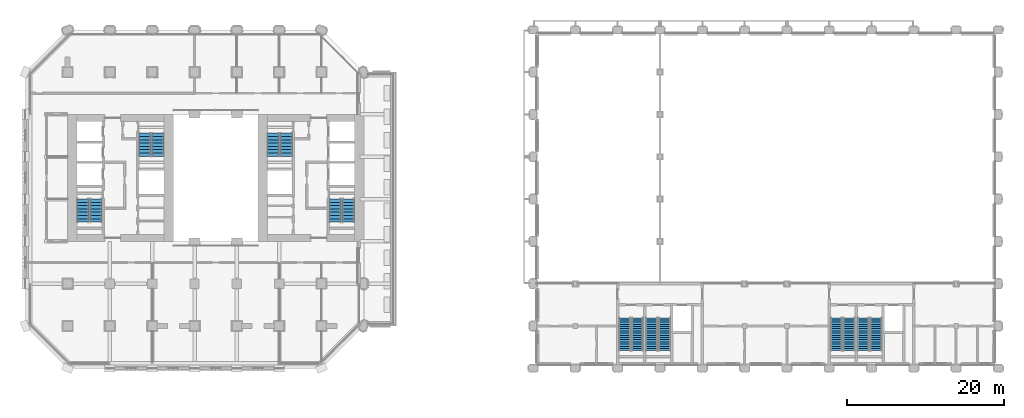
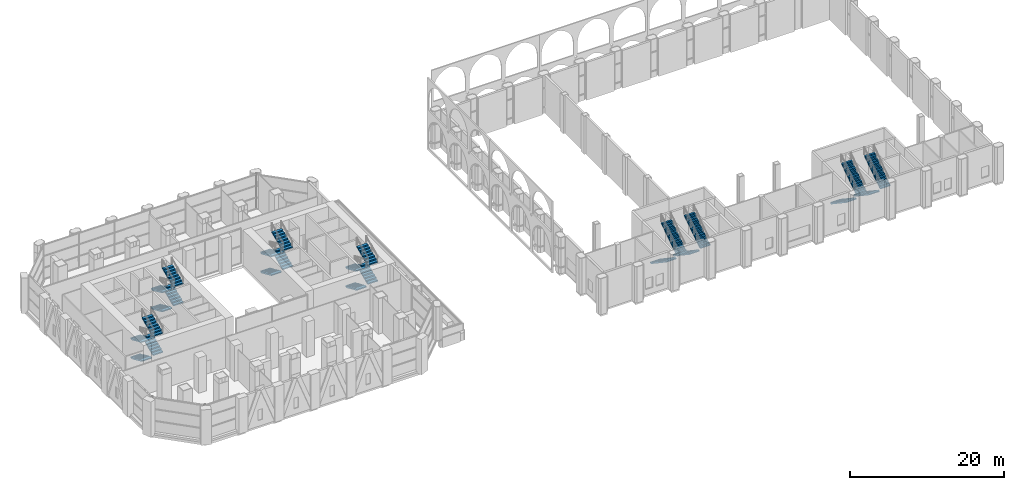
# One storey, part 18 of 34: 24 stair flights, 8 elements without a shape of their own.
"""IFC4 building model written with IfcOpenShell, lengths in metres."""

from ifc_helpers import new_model, si_unit, direction, frame, origin, place, context, subcontext, project, spatial, polyline, outline, extrude, material, type_object, element, aggregate, save


model = new_model("IFC4")

# Units and contexts
model_context = context("Model", 3, precision=1e-05, world=origin(), true_north=direction((0.0, 1.0)))
body_context = subcontext(model_context, "Body", "Model", "MODEL_VIEW")
ifc_project = project(units=[si_unit("LENGTHUNIT", "METRE"), si_unit("AREAUNIT", "SQUARE_METRE"), si_unit("VOLUMEUNIT", "CUBIC_METRE"), si_unit("PLANEANGLEUNIT", "RADIAN"), si_unit("MASSUNIT", "GRAM", prefix="KILO")], contexts=[model_context])

# Site, building, storey
site_placement = place(None, origin())
site = spatial("IfcSite", under=ifc_project, at=site_placement, CompositionType="ELEMENT")
building_placement = place(site_placement, origin())
building = spatial("IfcBuilding", under=site, at=building_placement, Name="Tabaq Tower and Sports Hall", CompositionType="ELEMENT")
storey_placement = place(building_placement, frame((0.0, 0.0, 8.39990234375)))
storey = spatial("IfcBuildingStorey", under=building, at=storey_placement, Name="L01", CompositionType="ELEMENT", Elevation=8.39990234375)

# Stair, stair flights
ifc_material_1 = material(Name="Concrete C40/50", Category="concrete")
stair_type_1 = type_object("IfcStairType", Name="Exit stair", PredefinedType="HALF_TURN_STAIR", material=ifc_material_1)
stair_1_placement = place(storey_placement, origin())
stair_1 = element("IfcStair", 1, at=stair_1_placement, inside=storey, type_object=stair_type_1, Name="L01 Exit stair ST1", PredefinedType="HALF_TURN_STAIR")
ifc_material_2 = material(Name="Concrete C40/50", Category="concrete")
stair_flight_type_1 = type_object("IfcStairFlightType", Name="Exit stair flight", PredefinedType="STRAIGHT", material=ifc_material_2)
stair_flight_1_placement = place(storey_placement, frame((7.35009765625, 21.60009765625, 0.0), z_axis=(0.0, 0.0, 1.0), x_axis=(0.0, -1.0, 0.0)))
stair_flight_1 = element("IfcStairFlight", 2, at=stair_flight_1_placement, type_object=stair_flight_type_1, Name="ST1 flight 1", NumberOfRisers=8, NumberOfTreads=7, PredefinedType="STRAIGHT", RiserHeight=0.1875, TreadLength=0.42, context=body_context, shape_type="SweptSolid", body=[
    extrude(outline(polyline([(0.0, 0.0), (0.0, 0.1875), (0.419921875, 0.1875), (0.419921875, 0.375), (0.840087890625, 0.375), (0.840087890625, 0.5625), (1.260009765625, 0.5625), (1.260009765625, 0.75), (1.679931640625, 0.75), (1.679931640625, 0.9375), (2.10009765625, 0.9375), (2.10009765625, 1.125), (2.52001953125, 1.125), (2.52001953125, 1.3125), (2.93994140625, 1.3125), (2.93994140625, 1.5), (2.93994140625, 1.1484375), (0.36767578125, 0.0), (0.0, 0.0)])), frame((0.0, 0.75, 0.0), z_axis=(0.0, -1.0, 0.0), x_axis=(1.0, 0.0, 0.0)), (0.0, 0.0, 1.0), 1.5),
])
stair_flight_2_placement = place(storey_placement, frame((9.050048828125, 18.659912109375, 1.5), z_axis=(0.0, 0.0, 1.0), x_axis=(0.0, 1.0, 0.0)))
stair_flight_2 = element("IfcStairFlight", 3, at=stair_flight_2_placement, type_object=stair_flight_type_1, Name="ST1 flight 2", NumberOfRisers=8, NumberOfTreads=7, PredefinedType="STRAIGHT", RiserHeight=0.1875, TreadLength=0.42, context=body_context, shape_type="SweptSolid", body=[
    extrude(outline(polyline([(0.0, 0.0), (0.0, 0.1875), (0.419921875, 0.1875), (0.419921875, 0.375), (0.840087890625, 0.375), (0.840087890625, 0.5625), (1.260009765625, 0.5625), (1.260009765625, 0.75), (1.679931640625, 0.75), (1.679931640625, 0.9375), (2.10009765625, 0.9375), (2.10009765625, 1.125), (2.52001953125, 1.125), (2.52001953125, 1.3125), (2.93994140625, 1.3125), (2.93994140625, 1.5), (2.93994140625, 1.1484375), (0.36767578125, 0.0), (0.0, 0.0)])), frame((0.0, 0.75, 0.0), z_axis=(0.0, -1.0, 0.0), x_axis=(1.0, 0.0, 0.0)), (0.0, 0.0, 1.0), 1.5),
])
stair_flight_3_placement = place(storey_placement, frame((7.35009765625, 21.60009765625, 3.0), z_axis=(0.0, 0.0, 1.0), x_axis=(0.0, -1.0, 0.0)))
stair_flight_3 = element("IfcStairFlight", 4, at=stair_flight_3_placement, type_object=stair_flight_type_1, Name="ST1 flight 3", NumberOfRisers=8, NumberOfTreads=7, PredefinedType="STRAIGHT", RiserHeight=0.1875, TreadLength=0.42, context=body_context, shape_type="SweptSolid", body=[
    extrude(outline(polyline([(0.0, 0.0), (0.0, 0.1875), (0.419921875, 0.1875), (0.419921875, 0.375), (0.840087890625, 0.375), (0.840087890625, 0.5625), (1.260009765625, 0.5625), (1.260009765625, 0.75), (1.679931640625, 0.75), (1.679931640625, 0.9375), (2.10009765625, 0.9375), (2.10009765625, 1.125), (2.52001953125, 1.125), (2.52001953125, 1.3125), (2.93994140625, 1.3125), (2.93994140625, 1.5), (2.93994140625, 1.1484375), (0.36767578125, 0.0), (0.0, 0.0)])), frame((0.0, 0.75, 0.0), z_axis=(0.0, -1.0, 0.0), x_axis=(1.0, 0.0, 0.0)), (0.0, 0.0, 1.0), 1.5),
])
stair_flight_4_placement = place(storey_placement, frame((9.050048828125, 18.659912109375, 4.5), z_axis=(0.0, 0.0, 1.0), x_axis=(0.0, 1.0, 0.0)))
stair_flight_4 = element("IfcStairFlight", 5, at=stair_flight_4_placement, type_object=stair_flight_type_1, Name="ST1 flight 4", NumberOfRisers=8, NumberOfTreads=7, PredefinedType="STRAIGHT", RiserHeight=0.1875, TreadLength=0.42, context=body_context, shape_type="SweptSolid", body=[
    extrude(outline(polyline([(0.0, 0.0), (0.0, 0.1875), (0.419921875, 0.1875), (0.419921875, 0.375), (0.840087890625, 0.375), (0.840087890625, 0.5625), (1.260009765625, 0.5625), (1.260009765625, 0.75), (1.679931640625, 0.75), (1.679931640625, 0.9375), (2.10009765625, 0.9375), (2.10009765625, 1.125), (2.52001953125, 1.125), (2.52001953125, 1.3125), (2.93994140625, 1.3125), (2.93994140625, 1.5), (2.93994140625, 1.1484375), (0.36767578125, 0.0), (0.0, 0.0)])), frame((0.0, 0.75, 0.0), z_axis=(0.0, -1.0, 0.0), x_axis=(1.0, 0.0, 0.0)), (0.0, 0.0, 1.0), 1.5),
])
aggregate(stair_1, [stair_flight_1, stair_flight_2, stair_flight_3, stair_flight_4])

stair_2_placement = place(storey_placement, origin())
stair_2 = element("IfcStair", 6, at=stair_2_placement, inside=storey, type_object=stair_type_1, Name="L01 Exit stair ST2", PredefinedType="HALF_TURN_STAIR")
stair_flight_5_placement = place(storey_placement, frame((15.25, 30.0, 0.0), z_axis=(0.0, 0.0, 1.0), x_axis=(0.0, -1.0, 0.0)))
stair_flight_5 = element("IfcStairFlight", 7, at=stair_flight_5_placement, type_object=stair_flight_type_1, Name="ST2 flight 1", NumberOfRisers=8, NumberOfTreads=7, PredefinedType="STRAIGHT", RiserHeight=0.1875, TreadLength=0.42, context=body_context, shape_type="SweptSolid", body=[
    extrude(outline(polyline([(0.0, 0.0), (0.0, 0.1875), (0.419921875, 0.1875), (0.419921875, 0.375), (0.840087890625, 0.375), (0.840087890625, 0.5625), (1.260009765625, 0.5625), (1.260009765625, 0.75), (1.679931640625, 0.75), (1.679931640625, 0.9375), (2.10009765625, 0.9375), (2.10009765625, 1.125), (2.52001953125, 1.125), (2.52001953125, 1.3125), (2.93994140625, 1.3125), (2.93994140625, 1.5), (2.93994140625, 1.1484375), (0.36767578125, 0.0), (0.0, 0.0)])), frame((0.0, 0.75, 0.0), z_axis=(0.0, -1.0, 0.0), x_axis=(1.0, 0.0, 0.0)), (0.0, 0.0, 1.0), 1.5),
])
stair_flight_6_placement = place(storey_placement, frame((16.949951171875, 27.06005859375, 1.5), z_axis=(0.0, 0.0, 1.0), x_axis=(0.0, 1.0, 0.0)))
stair_flight_6 = element("IfcStairFlight", 8, at=stair_flight_6_placement, type_object=stair_flight_type_1, Name="ST2 flight 2", NumberOfRisers=8, NumberOfTreads=7, PredefinedType="STRAIGHT", RiserHeight=0.1875, TreadLength=0.42, context=body_context, shape_type="SweptSolid", body=[
    extrude(outline(polyline([(0.0, 0.0), (0.0, 0.1875), (0.419921875, 0.1875), (0.419921875, 0.375), (0.840087890625, 0.375), (0.840087890625, 0.5625), (1.260009765625, 0.5625), (1.260009765625, 0.75), (1.679931640625, 0.75), (1.679931640625, 0.9375), (2.10009765625, 0.9375), (2.10009765625, 1.125), (2.52001953125, 1.125), (2.52001953125, 1.3125), (2.93994140625, 1.3125), (2.93994140625, 1.5), (2.93994140625, 1.1484375), (0.36767578125, 0.0), (0.0, 0.0)])), frame((0.0, 0.75, 0.0), z_axis=(0.0, -1.0, 0.0), x_axis=(1.0, 0.0, 0.0)), (0.0, 0.0, 1.0), 1.5),
])
stair_flight_7_placement = place(storey_placement, frame((15.25, 30.0, 3.0), z_axis=(0.0, 0.0, 1.0), x_axis=(0.0, -1.0, 0.0)))
stair_flight_7 = element("IfcStairFlight", 9, at=stair_flight_7_placement, type_object=stair_flight_type_1, Name="ST2 flight 3", NumberOfRisers=8, NumberOfTreads=7, PredefinedType="STRAIGHT", RiserHeight=0.1875, TreadLength=0.42, context=body_context, shape_type="SweptSolid", body=[
    extrude(outline(polyline([(0.0, 0.0), (0.0, 0.1875), (0.419921875, 0.1875), (0.419921875, 0.375), (0.840087890625, 0.375), (0.840087890625, 0.5625), (1.260009765625, 0.5625), (1.260009765625, 0.75), (1.679931640625, 0.75), (1.679931640625, 0.9375), (2.10009765625, 0.9375), (2.10009765625, 1.125), (2.52001953125, 1.125), (2.52001953125, 1.3125), (2.93994140625, 1.3125), (2.93994140625, 1.5), (2.93994140625, 1.1484375), (0.36767578125, 0.0), (0.0, 0.0)])), frame((0.0, 0.75, 0.0), z_axis=(0.0, -1.0, 0.0), x_axis=(1.0, 0.0, 0.0)), (0.0, 0.0, 1.0), 1.5),
])
stair_flight_8_placement = place(storey_placement, frame((16.949951171875, 27.06005859375, 4.5), z_axis=(0.0, 0.0, 1.0), x_axis=(0.0, 1.0, 0.0)))
stair_flight_8 = element("IfcStairFlight", 10, at=stair_flight_8_placement, type_object=stair_flight_type_1, Name="ST2 flight 4", NumberOfRisers=8, NumberOfTreads=7, PredefinedType="STRAIGHT", RiserHeight=0.1875, TreadLength=0.42, context=body_context, shape_type="SweptSolid", body=[
    extrude(outline(polyline([(0.0, 0.0), (0.0, 0.1875), (0.419921875, 0.1875), (0.419921875, 0.375), (0.840087890625, 0.375), (0.840087890625, 0.5625), (1.260009765625, 0.5625), (1.260009765625, 0.75), (1.679931640625, 0.75), (1.679931640625, 0.9375), (2.10009765625, 0.9375), (2.10009765625, 1.125), (2.52001953125, 1.125), (2.52001953125, 1.3125), (2.93994140625, 1.3125), (2.93994140625, 1.5), (2.93994140625, 1.1484375), (0.36767578125, 0.0), (0.0, 0.0)])), frame((0.0, 0.75, 0.0), z_axis=(0.0, -1.0, 0.0), x_axis=(1.0, 0.0, 0.0)), (0.0, 0.0, 1.0), 1.5),
])
aggregate(stair_2, [stair_flight_5, stair_flight_6, stair_flight_7, stair_flight_8])

stair_3_placement = place(storey_placement, origin())
stair_3 = element("IfcStair", 11, at=stair_3_placement, inside=storey, type_object=stair_type_1, Name="L01 Exit stair ST3", PredefinedType="HALF_TURN_STAIR")
stair_flight_9_placement = place(storey_placement, frame((39.550048828125, 21.60009765625, 0.0), z_axis=(0.0, 0.0, 1.0), x_axis=(0.0, -1.0, 0.0)))
stair_flight_9 = element("IfcStairFlight", 12, at=stair_flight_9_placement, type_object=stair_flight_type_1, Name="ST3 flight 1", NumberOfRisers=8, NumberOfTreads=7, PredefinedType="STRAIGHT", RiserHeight=0.1875, TreadLength=0.42, context=body_context, shape_type="SweptSolid", body=[
    extrude(outline(polyline([(0.0, 0.0), (0.0, 0.1875), (0.419921875, 0.1875), (0.419921875, 0.375), (0.840087890625, 0.375), (0.840087890625, 0.5625), (1.260009765625, 0.5625), (1.260009765625, 0.75), (1.679931640625, 0.75), (1.679931640625, 0.9375), (2.10009765625, 0.9375), (2.10009765625, 1.125), (2.52001953125, 1.125), (2.52001953125, 1.3125), (2.93994140625, 1.3125), (2.93994140625, 1.5), (2.93994140625, 1.1484375), (0.36767578125, 0.0), (0.0, 0.0)])), frame((0.0, 0.75, 0.0), z_axis=(0.0, -1.0, 0.0), x_axis=(1.0, 0.0, 0.0)), (0.0, 0.0, 1.0), 1.5),
])
stair_flight_10_placement = place(storey_placement, frame((41.25, 18.659912109375, 1.5), z_axis=(0.0, 0.0, 1.0), x_axis=(0.0, 1.0, 0.0)))
stair_flight_10 = element("IfcStairFlight", 13, at=stair_flight_10_placement, type_object=stair_flight_type_1, Name="ST3 flight 2", NumberOfRisers=8, NumberOfTreads=7, PredefinedType="STRAIGHT", RiserHeight=0.1875, TreadLength=0.42, context=body_context, shape_type="SweptSolid", body=[
    extrude(outline(polyline([(0.0, 0.0), (0.0, 0.1875), (0.419921875, 0.1875), (0.419921875, 0.375), (0.840087890625, 0.375), (0.840087890625, 0.5625), (1.260009765625, 0.5625), (1.260009765625, 0.75), (1.679931640625, 0.75), (1.679931640625, 0.9375), (2.10009765625, 0.9375), (2.10009765625, 1.125), (2.52001953125, 1.125), (2.52001953125, 1.3125), (2.93994140625, 1.3125), (2.93994140625, 1.5), (2.93994140625, 1.1484375), (0.36767578125, 0.0), (0.0, 0.0)])), frame((0.0, 0.75, 0.0), z_axis=(0.0, -1.0, 0.0), x_axis=(1.0, 0.0, 0.0)), (0.0, 0.0, 1.0), 1.5),
])
stair_flight_11_placement = place(storey_placement, frame((39.550048828125, 21.60009765625, 3.0), z_axis=(0.0, 0.0, 1.0), x_axis=(0.0, -1.0, 0.0)))
stair_flight_11 = element("IfcStairFlight", 14, at=stair_flight_11_placement, type_object=stair_flight_type_1, Name="ST3 flight 3", NumberOfRisers=8, NumberOfTreads=7, PredefinedType="STRAIGHT", RiserHeight=0.1875, TreadLength=0.42, context=body_context, shape_type="SweptSolid", body=[
    extrude(outline(polyline([(0.0, 0.0), (0.0, 0.1875), (0.419921875, 0.1875), (0.419921875, 0.375), (0.840087890625, 0.375), (0.840087890625, 0.5625), (1.260009765625, 0.5625), (1.260009765625, 0.75), (1.679931640625, 0.75), (1.679931640625, 0.9375), (2.10009765625, 0.9375), (2.10009765625, 1.125), (2.52001953125, 1.125), (2.52001953125, 1.3125), (2.93994140625, 1.3125), (2.93994140625, 1.5), (2.93994140625, 1.1484375), (0.36767578125, 0.0), (0.0, 0.0)])), frame((0.0, 0.75, 0.0), z_axis=(0.0, -1.0, 0.0), x_axis=(1.0, 0.0, 0.0)), (0.0, 0.0, 1.0), 1.5),
])
stair_flight_12_placement = place(storey_placement, frame((41.25, 18.659912109375, 4.5), z_axis=(0.0, 0.0, 1.0), x_axis=(0.0, 1.0, 0.0)))
stair_flight_12 = element("IfcStairFlight", 15, at=stair_flight_12_placement, type_object=stair_flight_type_1, Name="ST3 flight 4", NumberOfRisers=8, NumberOfTreads=7, PredefinedType="STRAIGHT", RiserHeight=0.1875, TreadLength=0.42, context=body_context, shape_type="SweptSolid", body=[
    extrude(outline(polyline([(0.0, 0.0), (0.0, 0.1875), (0.419921875, 0.1875), (0.419921875, 0.375), (0.840087890625, 0.375), (0.840087890625, 0.5625), (1.260009765625, 0.5625), (1.260009765625, 0.75), (1.679931640625, 0.75), (1.679931640625, 0.9375), (2.10009765625, 0.9375), (2.10009765625, 1.125), (2.52001953125, 1.125), (2.52001953125, 1.3125), (2.93994140625, 1.3125), (2.93994140625, 1.5), (2.93994140625, 1.1484375), (0.36767578125, 0.0), (0.0, 0.0)])), frame((0.0, 0.75, 0.0), z_axis=(0.0, -1.0, 0.0), x_axis=(1.0, 0.0, 0.0)), (0.0, 0.0, 1.0), 1.5),
])
aggregate(stair_3, [stair_flight_9, stair_flight_10, stair_flight_11, stair_flight_12])

stair_4_placement = place(storey_placement, origin())
stair_4 = element("IfcStair", 16, at=stair_4_placement, inside=storey, type_object=stair_type_1, Name="L01 Exit stair ST4", PredefinedType="HALF_TURN_STAIR")
stair_flight_13_placement = place(storey_placement, frame((31.64990234375, 30.0, 0.0), z_axis=(0.0, 0.0, 1.0), x_axis=(0.0, -1.0, 0.0)))
stair_flight_13 = element("IfcStairFlight", 17, at=stair_flight_13_placement, type_object=stair_flight_type_1, Name="ST4 flight 1", NumberOfRisers=8, NumberOfTreads=7, PredefinedType="STRAIGHT", RiserHeight=0.1875, TreadLength=0.42, context=body_context, shape_type="SweptSolid", body=[
    extrude(outline(polyline([(0.0, 0.0), (0.0, 0.1875), (0.419921875, 0.1875), (0.419921875, 0.375), (0.840087890625, 0.375), (0.840087890625, 0.5625), (1.260009765625, 0.5625), (1.260009765625, 0.75), (1.679931640625, 0.75), (1.679931640625, 0.9375), (2.10009765625, 0.9375), (2.10009765625, 1.125), (2.52001953125, 1.125), (2.52001953125, 1.3125), (2.93994140625, 1.3125), (2.93994140625, 1.5), (2.93994140625, 1.1484375), (0.36767578125, 0.0), (0.0, 0.0)])), frame((0.0, 0.75, 0.0), z_axis=(0.0, -1.0, 0.0), x_axis=(1.0, 0.0, 0.0)), (0.0, 0.0, 1.0), 1.5),
])
stair_flight_14_placement = place(storey_placement, frame((33.35009765625, 27.06005859375, 1.5), z_axis=(0.0, 0.0, 1.0), x_axis=(0.0, 1.0, 0.0)))
stair_flight_14 = element("IfcStairFlight", 18, at=stair_flight_14_placement, type_object=stair_flight_type_1, Name="ST4 flight 2", NumberOfRisers=8, NumberOfTreads=7, PredefinedType="STRAIGHT", RiserHeight=0.1875, TreadLength=0.42, context=body_context, shape_type="SweptSolid", body=[
    extrude(outline(polyline([(0.0, 0.0), (0.0, 0.1875), (0.419921875, 0.1875), (0.419921875, 0.375), (0.840087890625, 0.375), (0.840087890625, 0.5625), (1.260009765625, 0.5625), (1.260009765625, 0.75), (1.679931640625, 0.75), (1.679931640625, 0.9375), (2.10009765625, 0.9375), (2.10009765625, 1.125), (2.52001953125, 1.125), (2.52001953125, 1.3125), (2.93994140625, 1.3125), (2.93994140625, 1.5), (2.93994140625, 1.1484375), (0.36767578125, 0.0), (0.0, 0.0)])), frame((0.0, 0.75, 0.0), z_axis=(0.0, -1.0, 0.0), x_axis=(1.0, 0.0, 0.0)), (0.0, 0.0, 1.0), 1.5),
])
stair_flight_15_placement = place(storey_placement, frame((31.64990234375, 30.0, 3.0), z_axis=(0.0, 0.0, 1.0), x_axis=(0.0, -1.0, 0.0)))
stair_flight_15 = element("IfcStairFlight", 19, at=stair_flight_15_placement, type_object=stair_flight_type_1, Name="ST4 flight 3", NumberOfRisers=8, NumberOfTreads=7, PredefinedType="STRAIGHT", RiserHeight=0.1875, TreadLength=0.42, context=body_context, shape_type="SweptSolid", body=[
    extrude(outline(polyline([(0.0, 0.0), (0.0, 0.1875), (0.419921875, 0.1875), (0.419921875, 0.375), (0.840087890625, 0.375), (0.840087890625, 0.5625), (1.260009765625, 0.5625), (1.260009765625, 0.75), (1.679931640625, 0.75), (1.679931640625, 0.9375), (2.10009765625, 0.9375), (2.10009765625, 1.125), (2.52001953125, 1.125), (2.52001953125, 1.3125), (2.93994140625, 1.3125), (2.93994140625, 1.5), (2.93994140625, 1.1484375), (0.36767578125, 0.0), (0.0, 0.0)])), frame((0.0, 0.75, 0.0), z_axis=(0.0, -1.0, 0.0), x_axis=(1.0, 0.0, 0.0)), (0.0, 0.0, 1.0), 1.5),
])
stair_flight_16_placement = place(storey_placement, frame((33.35009765625, 27.06005859375, 4.5), z_axis=(0.0, 0.0, 1.0), x_axis=(0.0, 1.0, 0.0)))
stair_flight_16 = element("IfcStairFlight", 20, at=stair_flight_16_placement, type_object=stair_flight_type_1, Name="ST4 flight 4", NumberOfRisers=8, NumberOfTreads=7, PredefinedType="STRAIGHT", RiserHeight=0.1875, TreadLength=0.42, context=body_context, shape_type="SweptSolid", body=[
    extrude(outline(polyline([(0.0, 0.0), (0.0, 0.1875), (0.419921875, 0.1875), (0.419921875, 0.375), (0.840087890625, 0.375), (0.840087890625, 0.5625), (1.260009765625, 0.5625), (1.260009765625, 0.75), (1.679931640625, 0.75), (1.679931640625, 0.9375), (2.10009765625, 0.9375), (2.10009765625, 1.125), (2.52001953125, 1.125), (2.52001953125, 1.3125), (2.93994140625, 1.3125), (2.93994140625, 1.5), (2.93994140625, 1.1484375), (0.36767578125, 0.0), (0.0, 0.0)])), frame((0.0, 0.75, 0.0), z_axis=(0.0, -1.0, 0.0), x_axis=(1.0, 0.0, 0.0)), (0.0, 0.0, 1.0), 1.5),
])
aggregate(stair_4, [stair_flight_13, stair_flight_14, stair_flight_15, stair_flight_16])

ifc_material_3 = material(Name="Concrete C40/50", Category="concrete")
stair_type_2 = type_object("IfcStairType", Name="HALL STAIR HALF-TURN", PredefinedType="HALF_TURN_STAIR", material=ifc_material_3)
stair_5_placement = place(storey_placement, origin())
stair_5 = element("IfcStair", 21, at=stair_5_placement, inside=storey, type_object=stair_type_2, Name="L01 Stair H1", PredefinedType="HALF_TURN_STAIR")
ifc_material_4 = material(Name="Concrete C40/50", Category="concrete")
stair_flight_type_2 = type_object("IfcStairFlightType", Name="HALL STAIR FLIGHT 1500", PredefinedType="STRAIGHT", material=ifc_material_4)
stair_flight_17_placement = place(storey_placement, frame((76.5, 6.449951171875, 0.0), z_axis=(0.0, 0.0, 1.0), x_axis=(0.0, -1.0, 0.0)))
stair_flight_17 = element("IfcStairFlight", 22, at=stair_flight_17_placement, type_object=stair_flight_type_2, Name="ST-H1 flight 1", NumberOfRisers=16, NumberOfTreads=15, PredefinedType="STRAIGHT", RiserHeight=0.1875, TreadLength=0.28, context=body_context, shape_type="SweptSolid", body=[
    extrude(outline(polyline([(0.0, 0.0), (0.0, 0.1875), (0.280029296875, 0.1875), (0.280029296875, 0.375), (0.56005859375, 0.375), (0.56005859375, 0.5625), (0.840087890625, 0.5625), (0.840087890625, 0.75), (1.1201171875, 0.75), (1.1201171875, 0.9375), (1.39990234375, 0.9375), (1.39990234375, 1.125), (1.679931640625, 1.125), (1.679931640625, 1.3125), (1.9599609375, 1.3125), (1.9599609375, 1.5), (2.239990234375, 1.5), (2.239990234375, 1.6875), (2.52001953125, 1.6875), (2.52001953125, 1.875), (2.800048828125, 1.875), (2.800048828125, 2.0625), (3.080078125, 2.0625), (3.080078125, 2.25), (3.360107421875, 2.25), (3.360107421875, 2.4375), (3.639892578125, 2.4375), (3.639892578125, 2.625), (3.919921875, 2.625), (3.919921875, 2.8125), (4.199951171875, 2.8125), (4.199951171875, 3.0), (4.199951171875, 2.632080078125), (0.26953125, 0.0), (0.0, 0.0)])), frame((0.0, 0.75, 0.0), z_axis=(0.0, -1.0, 0.0), x_axis=(1.0, 0.0, 0.0)), (0.0, 0.0, 1.0), 1.5),
])
stair_flight_18_placement = place(storey_placement, frame((78.14990234375, 2.25, 3.0), z_axis=(0.0, 0.0, 1.0), x_axis=(0.0, 1.0, 0.0)))
stair_flight_18 = element("IfcStairFlight", 23, at=stair_flight_18_placement, type_object=stair_flight_type_2, Name="ST-H1 flight 2", NumberOfRisers=16, NumberOfTreads=15, PredefinedType="STRAIGHT", RiserHeight=0.1875, TreadLength=0.28, context=body_context, shape_type="SweptSolid", body=[
    extrude(outline(polyline([(0.0, 0.0), (0.0, 0.1875), (0.280029296875, 0.1875), (0.280029296875, 0.375), (0.56005859375, 0.375), (0.56005859375, 0.5625), (0.840087890625, 0.5625), (0.840087890625, 0.75), (1.1201171875, 0.75), (1.1201171875, 0.9375), (1.39990234375, 0.9375), (1.39990234375, 1.125), (1.679931640625, 1.125), (1.679931640625, 1.3125), (1.9599609375, 1.3125), (1.9599609375, 1.5), (2.239990234375, 1.5), (2.239990234375, 1.6875), (2.52001953125, 1.6875), (2.52001953125, 1.875), (2.800048828125, 1.875), (2.800048828125, 2.0625), (3.080078125, 2.0625), (3.080078125, 2.25), (3.360107421875, 2.25), (3.360107421875, 2.4375), (3.639892578125, 2.4375), (3.639892578125, 2.625), (3.919921875, 2.625), (3.919921875, 2.8125), (4.199951171875, 2.8125), (4.199951171875, 3.0), (4.199951171875, 2.632080078125), (0.26953125, 0.0), (0.0, 0.0)])), frame((0.0, 0.75, 0.0), z_axis=(0.0, -1.0, 0.0), x_axis=(1.0, 0.0, 0.0)), (0.0, 0.0, 1.0), 1.5),
])
aggregate(stair_5, [stair_flight_17, stair_flight_18])

stair_6_placement = place(storey_placement, origin())
stair_6 = element("IfcStair", 24, at=stair_6_placement, inside=storey, type_object=stair_type_2, Name="L01 Stair H2", PredefinedType="HALF_TURN_STAIR")
stair_flight_19_placement = place(storey_placement, frame((79.949951171875, 6.449951171875, 0.0), z_axis=(0.0, 0.0, 1.0), x_axis=(0.0, -1.0, 0.0)))
stair_flight_19 = element("IfcStairFlight", 25, at=stair_flight_19_placement, type_object=stair_flight_type_2, Name="ST-H2 flight 1", NumberOfRisers=16, NumberOfTreads=15, PredefinedType="STRAIGHT", RiserHeight=0.1875, TreadLength=0.28, context=body_context, shape_type="SweptSolid", body=[
    extrude(outline(polyline([(0.0, 0.0), (0.0, 0.1875), (0.280029296875, 0.1875), (0.280029296875, 0.375), (0.56005859375, 0.375), (0.56005859375, 0.5625), (0.840087890625, 0.5625), (0.840087890625, 0.75), (1.1201171875, 0.75), (1.1201171875, 0.9375), (1.39990234375, 0.9375), (1.39990234375, 1.125), (1.679931640625, 1.125), (1.679931640625, 1.3125), (1.9599609375, 1.3125), (1.9599609375, 1.5), (2.239990234375, 1.5), (2.239990234375, 1.6875), (2.52001953125, 1.6875), (2.52001953125, 1.875), (2.800048828125, 1.875), (2.800048828125, 2.0625), (3.080078125, 2.0625), (3.080078125, 2.25), (3.360107421875, 2.25), (3.360107421875, 2.4375), (3.639892578125, 2.4375), (3.639892578125, 2.625), (3.919921875, 2.625), (3.919921875, 2.8125), (4.199951171875, 2.8125), (4.199951171875, 3.0), (4.199951171875, 2.632080078125), (0.26953125, 0.0), (0.0, 0.0)])), frame((0.0, 0.75, 0.0), z_axis=(0.0, -1.0, 0.0), x_axis=(1.0, 0.0, 0.0)), (0.0, 0.0, 1.0), 1.5),
])
stair_flight_20_placement = place(storey_placement, frame((81.60009765625, 2.25, 3.0), z_axis=(0.0, 0.0, 1.0), x_axis=(0.0, 1.0, 0.0)))
stair_flight_20 = element("IfcStairFlight", 26, at=stair_flight_20_placement, type_object=stair_flight_type_2, Name="ST-H2 flight 2", NumberOfRisers=16, NumberOfTreads=15, PredefinedType="STRAIGHT", RiserHeight=0.1875, TreadLength=0.28, context=body_context, shape_type="SweptSolid", body=[
    extrude(outline(polyline([(0.0, 0.0), (0.0, 0.1875), (0.280029296875, 0.1875), (0.280029296875, 0.375), (0.56005859375, 0.375), (0.56005859375, 0.5625), (0.840087890625, 0.5625), (0.840087890625, 0.75), (1.1201171875, 0.75), (1.1201171875, 0.9375), (1.39990234375, 0.9375), (1.39990234375, 1.125), (1.679931640625, 1.125), (1.679931640625, 1.3125), (1.9599609375, 1.3125), (1.9599609375, 1.5), (2.239990234375, 1.5), (2.239990234375, 1.6875), (2.52001953125, 1.6875), (2.52001953125, 1.875), (2.800048828125, 1.875), (2.800048828125, 2.0625), (3.080078125, 2.0625), (3.080078125, 2.25), (3.360107421875, 2.25), (3.360107421875, 2.4375), (3.639892578125, 2.4375), (3.639892578125, 2.625), (3.919921875, 2.625), (3.919921875, 2.8125), (4.199951171875, 2.8125), (4.199951171875, 3.0), (4.199951171875, 2.632080078125), (0.26953125, 0.0), (0.0, 0.0)])), frame((0.0, 0.75, 0.0), z_axis=(0.0, -1.0, 0.0), x_axis=(1.0, 0.0, 0.0)), (0.0, 0.0, 1.0), 1.5),
])
aggregate(stair_6, [stair_flight_19, stair_flight_20])

stair_7_placement = place(storey_placement, origin())
stair_7 = element("IfcStair", 27, at=stair_7_placement, inside=storey, type_object=stair_type_2, Name="L01 Stair H3", PredefinedType="HALF_TURN_STAIR")
stair_flight_21_placement = place(storey_placement, frame((103.5, 6.449951171875, 0.0), z_axis=(0.0, 0.0, 1.0), x_axis=(0.0, -1.0, 0.0)))
stair_flight_21 = element("IfcStairFlight", 28, at=stair_flight_21_placement, type_object=stair_flight_type_2, Name="ST-H3 flight 1", NumberOfRisers=16, NumberOfTreads=15, PredefinedType="STRAIGHT", RiserHeight=0.1875, TreadLength=0.28, context=body_context, shape_type="SweptSolid", body=[
    extrude(outline(polyline([(0.0, 0.0), (0.0, 0.1875), (0.280029296875, 0.1875), (0.280029296875, 0.375), (0.56005859375, 0.375), (0.56005859375, 0.5625), (0.840087890625, 0.5625), (0.840087890625, 0.75), (1.1201171875, 0.75), (1.1201171875, 0.9375), (1.39990234375, 0.9375), (1.39990234375, 1.125), (1.679931640625, 1.125), (1.679931640625, 1.3125), (1.9599609375, 1.3125), (1.9599609375, 1.5), (2.239990234375, 1.5), (2.239990234375, 1.6875), (2.52001953125, 1.6875), (2.52001953125, 1.875), (2.800048828125, 1.875), (2.800048828125, 2.0625), (3.080078125, 2.0625), (3.080078125, 2.25), (3.360107421875, 2.25), (3.360107421875, 2.4375), (3.639892578125, 2.4375), (3.639892578125, 2.625), (3.919921875, 2.625), (3.919921875, 2.8125), (4.199951171875, 2.8125), (4.199951171875, 3.0), (4.199951171875, 2.632080078125), (0.26953125, 0.0), (0.0, 0.0)])), frame((0.0, 0.75, 0.0), z_axis=(0.0, -1.0, 0.0), x_axis=(1.0, 0.0, 0.0)), (0.0, 0.0, 1.0), 1.5),
])
stair_flight_22_placement = place(storey_placement, frame((105.14990234375, 2.25, 3.0), z_axis=(0.0, 0.0, 1.0), x_axis=(0.0, 1.0, 0.0)))
stair_flight_22 = element("IfcStairFlight", 29, at=stair_flight_22_placement, type_object=stair_flight_type_2, Name="ST-H3 flight 2", NumberOfRisers=16, NumberOfTreads=15, PredefinedType="STRAIGHT", RiserHeight=0.1875, TreadLength=0.28, context=body_context, shape_type="SweptSolid", body=[
    extrude(outline(polyline([(0.0, 0.0), (0.0, 0.1875), (0.280029296875, 0.1875), (0.280029296875, 0.375), (0.56005859375, 0.375), (0.56005859375, 0.5625), (0.840087890625, 0.5625), (0.840087890625, 0.75), (1.1201171875, 0.75), (1.1201171875, 0.9375), (1.39990234375, 0.9375), (1.39990234375, 1.125), (1.679931640625, 1.125), (1.679931640625, 1.3125), (1.9599609375, 1.3125), (1.9599609375, 1.5), (2.239990234375, 1.5), (2.239990234375, 1.6875), (2.52001953125, 1.6875), (2.52001953125, 1.875), (2.800048828125, 1.875), (2.800048828125, 2.0625), (3.080078125, 2.0625), (3.080078125, 2.25), (3.360107421875, 2.25), (3.360107421875, 2.4375), (3.639892578125, 2.4375), (3.639892578125, 2.625), (3.919921875, 2.625), (3.919921875, 2.8125), (4.199951171875, 2.8125), (4.199951171875, 3.0), (4.199951171875, 2.632080078125), (0.26953125, 0.0), (0.0, 0.0)])), frame((0.0, 0.75, 0.0), z_axis=(0.0, -1.0, 0.0), x_axis=(1.0, 0.0, 0.0)), (0.0, 0.0, 1.0), 1.5),
])
aggregate(stair_7, [stair_flight_21, stair_flight_22])

stair_8_placement = place(storey_placement, origin())
stair_8 = element("IfcStair", 30, at=stair_8_placement, inside=storey, type_object=stair_type_2, Name="L01 Stair H4", PredefinedType="HALF_TURN_STAIR")
stair_flight_23_placement = place(storey_placement, frame((106.949951171875, 6.449951171875, 0.0), z_axis=(0.0, 0.0, 1.0), x_axis=(0.0, -1.0, 0.0)))
stair_flight_23 = element("IfcStairFlight", 31, at=stair_flight_23_placement, type_object=stair_flight_type_2, Name="ST-H4 flight 1", NumberOfRisers=16, NumberOfTreads=15, PredefinedType="STRAIGHT", RiserHeight=0.1875, TreadLength=0.28, context=body_context, shape_type="SweptSolid", body=[
    extrude(outline(polyline([(0.0, 0.0), (0.0, 0.1875), (0.280029296875, 0.1875), (0.280029296875, 0.375), (0.56005859375, 0.375), (0.56005859375, 0.5625), (0.840087890625, 0.5625), (0.840087890625, 0.75), (1.1201171875, 0.75), (1.1201171875, 0.9375), (1.39990234375, 0.9375), (1.39990234375, 1.125), (1.679931640625, 1.125), (1.679931640625, 1.3125), (1.9599609375, 1.3125), (1.9599609375, 1.5), (2.239990234375, 1.5), (2.239990234375, 1.6875), (2.52001953125, 1.6875), (2.52001953125, 1.875), (2.800048828125, 1.875), (2.800048828125, 2.0625), (3.080078125, 2.0625), (3.080078125, 2.25), (3.360107421875, 2.25), (3.360107421875, 2.4375), (3.639892578125, 2.4375), (3.639892578125, 2.625), (3.919921875, 2.625), (3.919921875, 2.8125), (4.199951171875, 2.8125), (4.199951171875, 3.0), (4.199951171875, 2.632080078125), (0.26953125, 0.0), (0.0, 0.0)])), frame((0.0, 0.75, 0.0), z_axis=(0.0, -1.0, 0.0), x_axis=(1.0, 0.0, 0.0)), (0.0, 0.0, 1.0), 1.5),
])
stair_flight_24_placement = place(storey_placement, frame((108.60009765625, 2.25, 3.0), z_axis=(0.0, 0.0, 1.0), x_axis=(0.0, 1.0, 0.0)))
stair_flight_24 = element("IfcStairFlight", 32, at=stair_flight_24_placement, type_object=stair_flight_type_2, Name="ST-H4 flight 2", NumberOfRisers=16, NumberOfTreads=15, PredefinedType="STRAIGHT", RiserHeight=0.1875, TreadLength=0.28, context=body_context, shape_type="SweptSolid", body=[
    extrude(outline(polyline([(0.0, 0.0), (0.0, 0.1875), (0.280029296875, 0.1875), (0.280029296875, 0.375), (0.56005859375, 0.375), (0.56005859375, 0.5625), (0.840087890625, 0.5625), (0.840087890625, 0.75), (1.1201171875, 0.75), (1.1201171875, 0.9375), (1.39990234375, 0.9375), (1.39990234375, 1.125), (1.679931640625, 1.125), (1.679931640625, 1.3125), (1.9599609375, 1.3125), (1.9599609375, 1.5), (2.239990234375, 1.5), (2.239990234375, 1.6875), (2.52001953125, 1.6875), (2.52001953125, 1.875), (2.800048828125, 1.875), (2.800048828125, 2.0625), (3.080078125, 2.0625), (3.080078125, 2.25), (3.360107421875, 2.25), (3.360107421875, 2.4375), (3.639892578125, 2.4375), (3.639892578125, 2.625), (3.919921875, 2.625), (3.919921875, 2.8125), (4.199951171875, 2.8125), (4.199951171875, 3.0), (4.199951171875, 2.632080078125), (0.26953125, 0.0), (0.0, 0.0)])), frame((0.0, 0.75, 0.0), z_axis=(0.0, -1.0, 0.0), x_axis=(1.0, 0.0, 0.0)), (0.0, 0.0, 1.0), 1.5),
])
aggregate(stair_8, [stair_flight_23, stair_flight_24])

save(model, "model.ifc")
